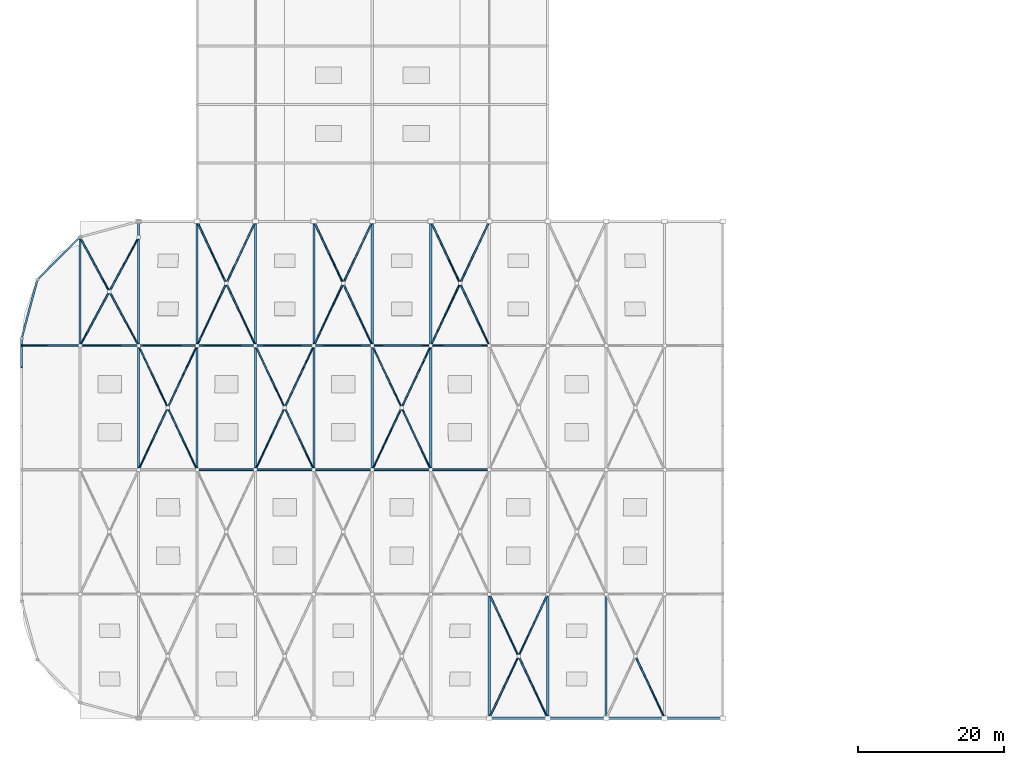
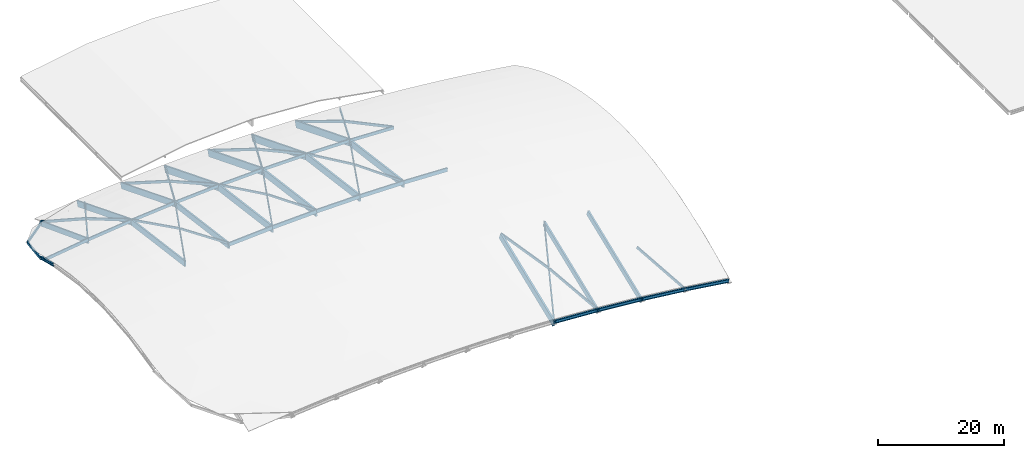
# One storey, part 2 of 11: 38 members, 23 beams.
"""IFC4 building model written with IfcOpenShell, lengths in metres."""

from ifc_helpers import new_model, si_unit, direction, frame, origin, origin_2d, place, context, subcontext, project, spatial, rectangle, hollow_rectangle, i_section, extrude, material, material_profile, profile_set, type_object, element, save


model = new_model("IFC4")

# Units and contexts
model_context = context("Model", 3, precision=1e-05, world=origin(), true_north=direction((0.0, 1.0)))
body_context = subcontext(model_context, "Body", "Model", "MODEL_VIEW")
ifc_project = project(units=[si_unit("LENGTHUNIT", "METRE"), si_unit("AREAUNIT", "SQUARE_METRE"), si_unit("VOLUMEUNIT", "CUBIC_METRE"), si_unit("PLANEANGLEUNIT", "RADIAN"), si_unit("MASSUNIT", "GRAM", prefix="KILO")], contexts=[model_context])

# Site, building, storey
site_placement = place(None, origin())
site = spatial("IfcSite", under=ifc_project, at=site_placement, CompositionType="ELEMENT")
building_placement = place(site_placement, origin())
building = spatial("IfcBuilding", under=site, at=building_placement, Name="Drelvana Railside Aquatics Centre", CompositionType="ELEMENT")
storey_placement = place(building_placement, frame((0.0, 0.0, 22.800048828125)))
storey = spatial("IfcBuildingStorey", under=building, at=storey_placement, Name="Roof", CompositionType="ELEMENT", Elevation=22.800048828125)

# Beams
ifc_material_1 = material(Name="Glulam timber GL28h", Category="wood")
ifc_material_profile_1 = material_profile(ifc_material_1, rectangle(XDim=0.280029296875, YDim=0.9599609375, at=origin_2d()), Name="GL28h 280x960")
ifc_profile_set_1 = profile_set([ifc_material_profile_1], Name="Glulam timber GL28h")
beam_type_1 = type_object("IfcBeamType", Name="STR-GLB-GA-03", PredefinedType="BEAM", material=ifc_profile_set_1)
beam_1_placement = place(storey_placement, frame((8.0, 66.955078125, -0.633056640625), z_axis=(0.0, 0.934910647171, -0.354883194595), x_axis=(-1.0, 0.0, 0.0)))
element("IfcBeam", 1, at=beam_1_placement, inside=storey, type_object=beam_type_1, Name="Glulam gridshell primary arch rib X01.4", PredefinedType="BEAM", context=body_context, shape_type="SweptSolid", body=[
    extrude(rectangle(XDim=0.280029296875, YDim=0.9599609375, at=origin_2d()), origin(), (0.0, 0.0, 1.0), 15.87841796875),
])
ifc_material_profile_2 = material_profile(ifc_material_1, rectangle(XDim=0.280029296875, YDim=1.1201171875, at=origin_2d()), Name="GL28h 280x1120")
ifc_profile_set_2 = profile_set([ifc_material_profile_2], Name="Glulam timber GL28h")
beam_type_2 = type_object("IfcBeamType", Name="STR-GLB-GA-04", PredefinedType="BEAM", material=ifc_profile_set_2)
beam_2_placement = place(storey_placement, frame((16.0, 49.955078125, 2.425048828125), z_axis=(0.0, 0.991354224176, -0.131212812671), x_axis=(-1.0, 0.0, 0.0)))
element("IfcBeam", 2, at=beam_2_placement, inside=storey, type_object=beam_type_2, Name="Glulam gridshell primary arch rib X02.3", PredefinedType="BEAM", context=body_context, shape_type="SweptSolid", body=[
    extrude(rectangle(XDim=0.280029296875, YDim=1.1201171875, at=origin_2d()), origin(), (0.0, 0.0, 1.0), 17.23876953125),
])
beam_3_placement = place(storey_placement, frame((16.0, 66.955078125, 0.186767578125), z_axis=(0.0, 0.929530699892, -0.368744732786), x_axis=(-1.0, 0.0, 0.0)))
element("IfcBeam", 3, at=beam_3_placement, inside=storey, type_object=beam_type_2, Name="Glulam gridshell primary arch rib X02.4", PredefinedType="BEAM", context=body_context, shape_type="SweptSolid", body=[
    extrude(rectangle(XDim=0.280029296875, YDim=1.1201171875, at=origin_2d()), origin(), (0.0, 0.0, 1.0), 18.337158203125),
])
beam_4_placement = place(storey_placement, frame((24.0, 49.955078125, 3.125), z_axis=(0.0, 0.991354224176, -0.131212812671), x_axis=(-1.0, 0.0, 0.0)))
element("IfcBeam", 4, at=beam_4_placement, inside=storey, type_object=beam_type_2, Name="Glulam gridshell primary arch rib X03.3", PredefinedType="BEAM", context=body_context, shape_type="SweptSolid", body=[
    extrude(rectangle(XDim=0.280029296875, YDim=1.1201171875, at=origin_2d()), origin(), (0.0, 0.0, 1.0), 17.23876953125),
])
for number, where, z_axis, x_axis, name in (
    (5, (24.0, 66.955078125, 0.886962890625), (0.0, 0.929526136341, -0.368756236367), (-1.0, 0.0, 0.0), "Glulam gridshell primary arch rib X03.4"),
    (6, (72.0, 16.0, -5.875), (0.0, 0.929526136341, 0.368756236367), (-1.0, 0.0, 0.0), "Glulam gridshell primary arch rib X09.1"),
    (7, (80.0, 16.0, -6.574951171875), (0.0, 0.929530699892, 0.368744732786), (-1.0, 0.0, 0.0), "Glulam gridshell primary arch rib X10.1"),
):
    element("IfcBeam", number, at=place(storey_placement, frame(where, z_axis=z_axis, x_axis=x_axis)), inside=storey, type_object=beam_type_2, Name=name, PredefinedType="BEAM", context=body_context, shape_type="SweptSolid", body=[
        extrude(rectangle(XDim=0.280029296875, YDim=1.1201171875, at=origin_2d()), origin(), (0.0, 0.0, 1.0), 18.337158203125),
    ])
ifc_material_profile_3 = material_profile(ifc_material_1, rectangle(XDim=0.320068359375, YDim=1.280029296875, at=origin_2d()), Name="GL28h 320x1280")
ifc_profile_set_3 = profile_set([ifc_material_profile_3], Name="Glulam timber GL28h")
beam_type_3 = type_object("IfcBeamType", Name="STR-GLB-GA-05", PredefinedType="BEAM", material=ifc_profile_set_3)
beam_5_placement = place(storey_placement, frame((32.0, 49.955078125, 3.544921875), z_axis=(0.0, 0.991354224176, -0.131212812671), x_axis=(-1.0, 0.0, 0.0)))
element("IfcBeam", 8, at=beam_5_placement, inside=storey, type_object=beam_type_3, Name="Glulam gridshell primary arch rib X04.3", PredefinedType="BEAM", context=body_context, shape_type="SweptSolid", body=[
    extrude(rectangle(XDim=0.320068359375, YDim=1.280029296875, at=origin_2d()), origin(), (0.0, 0.0, 1.0), 17.23876953125),
])
beam_6_placement = place(storey_placement, frame((32.0, 66.955078125, 1.306884765625), z_axis=(0.0, 0.929526136341, -0.368756236367), x_axis=(-1.0, 0.0, 0.0)))
element("IfcBeam", 9, at=beam_6_placement, inside=storey, type_object=beam_type_3, Name="Glulam gridshell primary arch rib X04.4", PredefinedType="BEAM", context=body_context, shape_type="SweptSolid", body=[
    extrude(rectangle(XDim=0.320068359375, YDim=1.280029296875, at=origin_2d()), origin(), (0.0, 0.0, 1.0), 18.337158203125),
])
beam_7_placement = place(storey_placement, frame((40.0, 49.955078125, 3.844970703125), z_axis=(0.0, 0.991354224176, -0.131212812671), x_axis=(-1.0, 0.0, 0.0)))
element("IfcBeam", 10, at=beam_7_placement, inside=storey, type_object=beam_type_3, Name="Glulam gridshell primary arch rib X05.3", PredefinedType="BEAM", context=body_context, shape_type="SweptSolid", body=[
    extrude(rectangle(XDim=0.320068359375, YDim=1.280029296875, at=origin_2d()), origin(), (0.0, 0.0, 1.0), 17.23876953125),
])
beam_8_placement = place(storey_placement, frame((40.0, 66.955078125, 1.60693359375), z_axis=(0.0, 0.929526136341, -0.368756236367), x_axis=(-1.0, 0.0, 0.0)))
element("IfcBeam", 11, at=beam_8_placement, inside=storey, type_object=beam_type_3, Name="Glulam gridshell primary arch rib X05.4", PredefinedType="BEAM", context=body_context, shape_type="SweptSolid", body=[
    extrude(rectangle(XDim=0.320068359375, YDim=1.280029296875, at=origin_2d()), origin(), (0.0, 0.0, 1.0), 18.337158203125),
])
beam_9_placement = place(storey_placement, frame((48.0, 49.955078125, 3.94482421875), z_axis=(0.0, 0.991356066278, -0.131198894257), x_axis=(-1.0, 0.0, 0.0)))
element("IfcBeam", 12, at=beam_9_placement, inside=storey, type_object=beam_type_3, Name="Glulam gridshell primary arch rib X06.3", PredefinedType="BEAM", context=body_context, shape_type="SweptSolid", body=[
    extrude(rectangle(XDim=0.320068359375, YDim=1.280029296875, at=origin_2d()), origin(), (0.0, 0.0, 1.0), 17.23876953125),
])
beam_10_placement = place(storey_placement, frame((48.0, 66.955078125, 1.706787109375), z_axis=(0.0, 0.929530699892, -0.368744732786), x_axis=(-1.0, 0.0, 0.0)))
element("IfcBeam", 13, at=beam_10_placement, inside=storey, type_object=beam_type_3, Name="Glulam gridshell primary arch rib X06.4", PredefinedType="BEAM", context=body_context, shape_type="SweptSolid", body=[
    extrude(rectangle(XDim=0.320068359375, YDim=1.280029296875, at=origin_2d()), origin(), (0.0, 0.0, 1.0), 18.337158203125),
])
beam_11_placement = place(storey_placement, frame((56.0, 49.955078125, 3.844970703125), z_axis=(0.0, 0.991354224176, -0.131212812671), x_axis=(-1.0, 0.0, 0.0)))
element("IfcBeam", 14, at=beam_11_placement, inside=storey, type_object=beam_type_3, Name="Glulam gridshell primary arch rib X07.3", PredefinedType="BEAM", context=body_context, shape_type="SweptSolid", body=[
    extrude(rectangle(XDim=0.320068359375, YDim=1.280029296875, at=origin_2d()), origin(), (0.0, 0.0, 1.0), 17.23876953125),
])
for number, where, z_axis, x_axis, name in (
    (15, (56.0, 66.955078125, 1.60693359375), (0.0, 0.929526136341, -0.368756236367), (-1.0, 0.0, 0.0), "Glulam gridshell primary arch rib X07.4"),
    (16, (64.0, 16.0, -5.455078125), (0.0, 0.929526136341, 0.368756236367), (-1.0, 0.0, 0.0), "Glulam gridshell primary arch rib X08.1"),
):
    element("IfcBeam", number, at=place(storey_placement, frame(where, z_axis=z_axis, x_axis=x_axis)), inside=storey, type_object=beam_type_3, Name=name, PredefinedType="BEAM", context=body_context, shape_type="SweptSolid", body=[
        extrude(rectangle(XDim=0.320068359375, YDim=1.280029296875, at=origin_2d()), origin(), (0.0, 0.0, 1.0), 18.337158203125),
    ])

# Members
ifc_material_profile_4 = material_profile(ifc_material_1, rectangle(XDim=0.179931640625, YDim=0.39990234375, at=origin_2d()), Name="GL28h 180x400")
ifc_profile_set_4 = profile_set([ifc_material_profile_4], Name="Glulam timber GL28h")
member_type_1 = type_object("IfcMemberType", Name="STR-GLM-GD-01", PredefinedType="BRACE", material=ifc_profile_set_4)
member_1_placement = place(storey_placement, frame((16.00634765625, 50.013671875, 2.821533203125), z_axis=(0.424363187881, 0.901752317567, -0.082210963589), x_axis=(-0.904815162631, 0.425804557834, 0.0)))
element("IfcMember", 17, at=member_1_placement, inside=storey, type_object=member_type_1, Name="Glulam gridshell continuous diagonal brace GD-010", PredefinedType="BRACE", context=body_context, shape_type="SweptSolid", body=[
    extrude(rectangle(XDim=0.179931640625, YDim=0.39990234375, at=origin_2d()), origin(), (0.0, 0.0, 1.0), 18.82177734375),
])
member_2_placement = place(storey_placement, frame((16.00634765625, 66.986328125, 0.5751953125), z_axis=(0.415880783586, -0.883724300441, 0.214649795375), x_axis=(0.904814550604, 0.425805858362, 0.0)))
element("IfcMember", 18, at=member_2_placement, inside=storey, type_object=member_type_1, Name="Glulam gridshell split diagonal brace GD-011A", PredefinedType="BRACE", context=body_context, shape_type="SweptSolid", body=[
    extrude(rectangle(XDim=0.179931640625, YDim=0.39990234375, at=origin_2d()), origin(), (0.0, 0.0, 1.0), 9.5517578125),
])
member_3_placement = place(storey_placement, frame((20.021240234375, 58.454833984375, 2.641357421875), z_axis=(0.423927658635, -0.900823477186, 0.093821123394), x_axis=(0.904814550604, 0.425805858362, 0.0)))
element("IfcMember", 19, at=member_3_placement, inside=storey, type_object=member_type_1, Name="Glulam gridshell split diagonal brace GD-012B", PredefinedType="BRACE", context=body_context, shape_type="SweptSolid", body=[
    extrude(rectangle(XDim=0.179931640625, YDim=0.39990234375, at=origin_2d()), origin(), (0.0, 0.0, 1.0), 9.37060546875),
])
member_4_placement = place(storey_placement, frame((32.00634765625, 50.013671875, 4.021240234375), z_axis=(0.423529764879, 0.899981331898, -0.103228583725), x_axis=(-0.904815162631, 0.425804557834, 0.0)))
element("IfcMember", 20, at=member_4_placement, inside=storey, type_object=member_type_1, Name="Glulam gridshell continuous diagonal brace GD-022", PredefinedType="BRACE", context=body_context, shape_type="SweptSolid", body=[
    extrude(rectangle(XDim=0.179931640625, YDim=0.39990234375, at=origin_2d()), origin(), (0.0, 0.0, 1.0), 18.85888671875),
])
member_5_placement = place(storey_placement, frame((32.00634765625, 66.986328125, 1.77490234375), z_axis=(0.417657314588, -0.887499333286, 0.194697973766), x_axis=(0.904814550604, 0.425805858362, 0.0)))
element("IfcMember", 21, at=member_5_placement, inside=storey, type_object=member_type_1, Name="Glulam gridshell split diagonal brace GD-023A", PredefinedType="BRACE", context=body_context, shape_type="SweptSolid", body=[
    extrude(rectangle(XDim=0.179931640625, YDim=0.39990234375, at=origin_2d()), origin(), (0.0, 0.0, 1.0), 9.51123046875),
])
member_6_placement = place(storey_placement, frame((36.021240234375, 58.454833984375, 3.64013671875), z_axis=(0.424677018704, -0.902415827034, 0.072767471461), x_axis=(0.904814550604, 0.425805858362, 0.0)))
element("IfcMember", 22, at=member_6_placement, inside=storey, type_object=member_type_1, Name="Glulam gridshell split diagonal brace GD-024B", PredefinedType="BRACE", context=body_context, shape_type="SweptSolid", body=[
    extrude(rectangle(XDim=0.179931640625, YDim=0.39990234375, at=origin_2d()), origin(), (0.0, 0.0, 1.0), 9.35400390625),
])
member_7_placement = place(storey_placement, frame((48.00634765625, 50.013671875, 4.4208984375), z_axis=(0.422512496583, 0.897819683411, -0.124108848642), x_axis=(-0.904815162631, 0.425804557834, 0.0)))
element("IfcMember", 23, at=member_7_placement, inside=storey, type_object=member_type_1, Name="Glulam gridshell continuous diagonal brace GD-034", PredefinedType="BRACE", context=body_context, shape_type="SweptSolid", body=[
    extrude(rectangle(XDim=0.179931640625, YDim=0.39990234375, at=origin_2d()), origin(), (0.0, 0.0, 1.0), 18.904296875),
])
member_8_placement = place(storey_placement, frame((48.00634765625, 66.986328125, 2.174560546875), z_axis=(0.419274562006, -0.890935897079, 0.174476557024), x_axis=(0.904814550604, 0.425805858362, 0.0)))
element("IfcMember", 24, at=member_8_placement, inside=storey, type_object=member_type_1, Name="Glulam gridshell split diagonal brace GD-035A", PredefinedType="BRACE", context=body_context, shape_type="SweptSolid", body=[
    extrude(rectangle(XDim=0.179931640625, YDim=0.39990234375, at=origin_2d()), origin(), (0.0, 0.0, 1.0), 9.474609375),
])
member_9_placement = place(storey_placement, frame((52.021240234375, 58.454833984375, 3.839111328125), z_axis=(0.425238832929, -0.903609652051, 0.051590034798), x_axis=(0.904814550604, 0.425805858362, 0.0)))
element("IfcMember", 25, at=member_9_placement, inside=storey, type_object=member_type_1, Name="Glulam gridshell split diagonal brace GD-036B", PredefinedType="BRACE", context=body_context, shape_type="SweptSolid", body=[
    extrude(rectangle(XDim=0.179931640625, YDim=0.39990234375, at=origin_2d()), origin(), (0.0, 0.0, 1.0), 9.341552734375),
])
ifc_material_profile_5 = material_profile(ifc_material_1, rectangle(XDim=0.199951171875, YDim=0.47998046875, at=origin_2d()), Name="GL28h 200x480")
ifc_profile_set_5 = profile_set([ifc_material_profile_5], Name="Glulam timber GL28h")
member_type_2 = type_object("IfcMemberType", Name="STR-GLM-GD-02", PredefinedType="BRACE", material=ifc_profile_set_5)
member_10_placement = place(storey_placement, frame((8.007080078125, 67.01318359375, -0.37158203125), z_axis=(0.457821515091, 0.84696280473, -0.270284050074), x_axis=(-0.879704869992, 0.475520074983, 0.0)))
element("IfcMember", 26, at=member_10_placement, inside=storey, type_object=member_type_2, Name="Glulam gridshell continuous diagonal brace GD-004", PredefinedType="BRACE", context=body_context, shape_type="SweptSolid", body=[
    extrude(rectangle(XDim=0.199951171875, YDim=0.47998046875, at=origin_2d()), origin(), (0.0, 0.0, 1.0), 17.443115234375),
])
member_11_placement = place(storey_placement, frame((8.007080078125, 81.786865234375, -5.984619140625), z_axis=(0.435004858275, -0.804724204544, 0.403967483715), x_axis=(0.879697915599, 0.475532940279, 0.0)))
element("IfcMember", 27, at=member_11_placement, inside=storey, type_object=member_type_2, Name="Glulam gridshell split diagonal brace GD-005A", PredefinedType="BRACE", context=body_context, shape_type="SweptSolid", body=[
    extrude(rectangle(XDim=0.199951171875, YDim=0.47998046875, at=origin_2d()), origin(), (0.0, 0.0, 1.0), 9.12451171875),
])
member_12_placement = place(storey_placement, frame((12.023681640625, 74.35595703125, -2.259765625), z_axis=(0.451060197691, -0.834425298669, 0.31666878438), x_axis=(0.879697915599, 0.475532940279, 0.0)))
element("IfcMember", 28, at=member_12_placement, inside=storey, type_object=member_type_2, Name="Glulam gridshell split diagonal brace GD-006B", PredefinedType="BRACE", context=body_context, shape_type="SweptSolid", body=[
    extrude(rectangle(XDim=0.199951171875, YDim=0.47998046875, at=origin_2d()), origin(), (0.0, 0.0, 1.0), 8.7998046875),
])
member_13_placement = place(storey_placement, frame((24.00634765625, 67.013671875, 1.227783203125), z_axis=(0.404035826688, 0.858557607022, -0.315648358427), x_axis=(-0.904815162631, 0.425804557834, 0.0)))
element("IfcMember", 29, at=member_13_placement, inside=storey, type_object=member_type_2, Name="Glulam gridshell continuous diagonal brace GD-016", PredefinedType="BRACE", context=body_context, shape_type="SweptSolid", body=[
    extrude(rectangle(XDim=0.199951171875, YDim=0.47998046875, at=origin_2d()), origin(), (0.0, 0.0, 1.0), 19.768798828125),
])
member_14_placement = place(storey_placement, frame((24.00634765625, 83.986328125, -5.511474609375), z_axis=(0.388497261541, -0.825535788691, 0.409341592518), x_axis=(0.904814550604, 0.425805858362, 0.0)))
element("IfcMember", 30, at=member_14_placement, inside=storey, type_object=member_type_2, Name="Glulam gridshell split diagonal brace GD-017A", PredefinedType="BRACE", context=body_context, shape_type="SweptSolid", body=[
    extrude(rectangle(XDim=0.199951171875, YDim=0.47998046875, at=origin_2d()), origin(), (0.0, 0.0, 1.0), 10.22509765625),
])
member_15_placement = place(storey_placement, frame((28.021240234375, 75.454833984375, -1.287353515625), z_axis=(0.405179646918, -0.860984960494, 0.307464390664), x_axis=(0.904814550604, 0.425805858362, 0.0)))
element("IfcMember", 31, at=member_15_placement, inside=storey, type_object=member_type_2, Name="Glulam gridshell split diagonal brace GD-018B", PredefinedType="BRACE", context=body_context, shape_type="SweptSolid", body=[
    extrude(rectangle(XDim=0.199951171875, YDim=0.47998046875, at=origin_2d()), origin(), (0.0, 0.0, 1.0), 9.803955078125),
])
member_16_placement = place(storey_placement, frame((40.00634765625, 67.013671875, 2.027587890625), z_axis=(0.401402613105, 0.852962148888, -0.333663775015), x_axis=(-0.904815162631, 0.425804557834, 0.0)))
element("IfcMember", 32, at=member_16_placement, inside=storey, type_object=member_type_2, Name="Glulam gridshell continuous diagonal brace GD-028", PredefinedType="BRACE", context=body_context, shape_type="SweptSolid", body=[
    extrude(rectangle(XDim=0.199951171875, YDim=0.47998046875, at=origin_2d()), origin(), (0.0, 0.0, 1.0), 19.8984375),
])
member_17_placement = place(storey_placement, frame((40.00634765625, 83.986328125, -4.711669921875), z_axis=(0.391550308633, -0.832023349579, 0.392970102635), x_axis=(0.904814550604, 0.425805858362, 0.0)))
element("IfcMember", 33, at=member_17_placement, inside=storey, type_object=member_type_2, Name="Glulam gridshell split diagonal brace GD-029A", PredefinedType="BRACE", context=body_context, shape_type="SweptSolid", body=[
    extrude(rectangle(XDim=0.199951171875, YDim=0.47998046875, at=origin_2d()), origin(), (0.0, 0.0, 1.0), 10.145263671875),
])
member_18_placement = place(storey_placement, frame((44.021240234375, 75.454833984375, -0.688232421875), z_axis=(0.407643933163, -0.866221436243, 0.288940905978), x_axis=(0.904814550604, 0.425805858362, 0.0)))
element("IfcMember", 34, at=member_18_placement, inside=storey, type_object=member_type_2, Name="Glulam gridshell split diagonal brace GD-030B", PredefinedType="BRACE", context=body_context, shape_type="SweptSolid", body=[
    extrude(rectangle(XDim=0.199951171875, YDim=0.47998046875, at=origin_2d()), origin(), (0.0, 0.0, 1.0), 9.744873046875),
])
member_19_placement = place(storey_placement, frame((56.00634765625, 67.013671875, 2.027099609375), z_axis=(0.398663395605, 0.847141437293, -0.351310236438), x_axis=(-0.904815162631, 0.425804557834, 0.0)))
element("IfcMember", 35, at=member_19_placement, inside=storey, type_object=member_type_2, Name="Glulam gridshell continuous diagonal brace GD-040", PredefinedType="BRACE", context=body_context, shape_type="SweptSolid", body=[
    extrude(rectangle(XDim=0.199951171875, YDim=0.47998046875, at=origin_2d()), origin(), (0.0, 0.0, 1.0), 20.03515625),
])
member_20_placement = place(storey_placement, frame((56.00634765625, 83.986328125, -4.7119140625), z_axis=(0.39452270737, -0.838339537048, 0.376216233025), x_axis=(0.904814550604, 0.425805858362, 0.0)))
element("IfcMember", 36, at=member_20_placement, inside=storey, type_object=member_type_2, Name="Glulam gridshell split diagonal brace GD-041A", PredefinedType="BRACE", context=body_context, shape_type="SweptSolid", body=[
    extrude(rectangle(XDim=0.199951171875, YDim=0.47998046875, at=origin_2d()), origin(), (0.0, 0.0, 1.0), 10.06884765625),
])
member_21_placement = place(storey_placement, frame((60.021240234375, 75.454833984375, -0.889404296875), z_axis=(0.409978367947, -0.871181984622, 0.270110509766), x_axis=(0.904814550604, 0.425805858362, 0.0)))
element("IfcMember", 37, at=member_21_placement, inside=storey, type_object=member_type_2, Name="Glulam gridshell split diagonal brace GD-042B", PredefinedType="BRACE", context=body_context, shape_type="SweptSolid", body=[
    extrude(rectangle(XDim=0.199951171875, YDim=0.47998046875, at=origin_2d()), origin(), (0.0, 0.0, 1.0), 9.689208984375),
])
member_22_placement = place(storey_placement, frame((64.00634765625, 16.013671875, -5.01220703125), z_axis=(0.404035826688, 0.858557607022, 0.315648358427), x_axis=(-0.904815162631, 0.425804557834, 0.0)))
element("IfcMember", 38, at=member_22_placement, inside=storey, type_object=member_type_2, Name="Glulam gridshell continuous diagonal brace GD-043", PredefinedType="BRACE", context=body_context, shape_type="SweptSolid", body=[
    extrude(rectangle(XDim=0.199951171875, YDim=0.47998046875, at=origin_2d()), origin(), (0.0, 0.0, 1.0), 19.768798828125),
])
member_23_placement = place(storey_placement, frame((64.00634765625, 32.986328125, 1.72705078125), z_axis=(0.405179646918, -0.860984960494, -0.307464390664), x_axis=(0.904814550604, 0.425805858362, 0.0)))
element("IfcMember", 39, at=member_23_placement, inside=storey, type_object=member_type_2, Name="Glulam gridshell split diagonal brace GD-044A", PredefinedType="BRACE", context=body_context, shape_type="SweptSolid", body=[
    extrude(rectangle(XDim=0.199951171875, YDim=0.47998046875, at=origin_2d()), origin(), (0.0, 0.0, 1.0), 9.803955078125),
])
member_24_placement = place(storey_placement, frame((68.021240234375, 24.454833984375, -1.325927734375), z_axis=(0.388497261541, -0.825535788691, -0.409341592518), x_axis=(0.904814550604, 0.425805858362, 0.0)))
element("IfcMember", 40, at=member_24_placement, inside=storey, type_object=member_type_2, Name="Glulam gridshell split diagonal brace GD-045B", PredefinedType="BRACE", context=body_context, shape_type="SweptSolid", body=[
    extrude(rectangle(XDim=0.199951171875, YDim=0.47998046875, at=origin_2d()), origin(), (0.0, 0.0, 1.0), 10.22509765625),
])
member_25_placement = place(storey_placement, frame((84.021240234375, 24.454833984375, -2.726806640625), z_axis=(0.385371217495, -0.8188931132, -0.425327043438), x_axis=(0.904814550604, 0.425805858362, 0.0)))
element("IfcMember", 41, at=member_25_placement, inside=storey, type_object=member_type_2, Name="Glulam gridshell split diagonal brace GD-057B", PredefinedType="BRACE", context=body_context, shape_type="SweptSolid", body=[
    extrude(rectangle(XDim=0.199951171875, YDim=0.47998046875, at=origin_2d()), origin(), (0.0, 0.0, 1.0), 10.30810546875),
])
ifc_material_profile_6 = material_profile(ifc_material_1, rectangle(XDim=0.199951171875, YDim=0.60009765625, at=origin_2d()), Name="GL28h 200x600")
ifc_profile_set_6 = profile_set([ifc_material_profile_6], Name="Glulam timber GL28h")
member_type_3 = type_object("IfcMemberType", Name="STR-GLM-GR-04", PredefinedType="RAFTER", material=ifc_profile_set_6)
member_26_placement = place(storey_placement, frame((0.0, 67.0, -1.56494140625), z_axis=(0.990690601984, 0.0, 0.136132770265), x_axis=(0.0, 1.0, 0.0)))
element("IfcMember", 42, at=member_26_placement, inside=storey, type_object=member_type_3, Name="Glulam gridshell longitudinal rib Y03.1", PredefinedType="RAFTER", context=body_context, shape_type="SweptSolid", body=[
    extrude(rectangle(XDim=0.199951171875, YDim=0.60009765625, at=origin_2d()), origin(), (0.0, 0.0, 1.0), 8.12060546875),
])
member_27_placement = place(storey_placement, frame((7.955078125, 67.0, -0.470703125), z_axis=(0.993730649812, 0.0, 0.111800695995), x_axis=(0.0, 1.0, 0.0)))
element("IfcMember", 43, at=member_27_placement, inside=storey, type_object=member_type_3, Name="Glulam gridshell longitudinal rib Y03.2", PredefinedType="RAFTER", context=body_context, shape_type="SweptSolid", body=[
    extrude(rectangle(XDim=0.199951171875, YDim=0.60009765625, at=origin_2d()), origin(), (0.0, 0.0, 1.0), 8.140869140625),
])
member_28_placement = place(storey_placement, frame((15.955078125, 67.0, 0.430419921875), z_axis=(0.996192150981, 0.0, 0.087184851456), x_axis=(0.0, 1.0, 0.0)))
element("IfcMember", 44, at=member_28_placement, inside=storey, type_object=member_type_3, Name="Glulam gridshell longitudinal rib Y03.3", PredefinedType="RAFTER", context=body_context, shape_type="SweptSolid", body=[
    extrude(rectangle(XDim=0.199951171875, YDim=0.60009765625, at=origin_2d()), origin(), (0.0, 0.0, 1.0), 8.120849609375),
])
member_29_placement = place(storey_placement, frame((23.955078125, 67.0, 1.131591796875), z_axis=(0.998052578483, 0.0, 0.062378286155), x_axis=(0.0, 1.0, 0.0)))
element("IfcMember", 45, at=member_29_placement, inside=storey, type_object=member_type_3, Name="Glulam gridshell longitudinal rib Y03.4", PredefinedType="RAFTER", context=body_context, shape_type="SweptSolid", body=[
    extrude(rectangle(XDim=0.199951171875, YDim=0.60009765625, at=origin_2d()), origin(), (0.0, 0.0, 1.0), 8.105712890625),
])
member_30_placement = place(storey_placement, frame((31.955078125, 67.0, 1.6328125), z_axis=(0.999298293136, 0.0, 0.037455591504), x_axis=(0.0, 1.0, 0.0)))
element("IfcMember", 46, at=member_30_placement, inside=storey, type_object=member_type_3, Name="Glulam gridshell longitudinal rib Y03.5", PredefinedType="RAFTER", context=body_context, shape_type="SweptSolid", body=[
    extrude(rectangle(XDim=0.199951171875, YDim=0.60009765625, at=origin_2d()), origin(), (0.0, 0.0, 1.0), 8.095458984375),
])
for number, where, z_axis, x_axis, name in (
    (47, (39.955078125, 67.0, 1.933837890625), (0.999921959565, 0.0, 0.012492989234), (0.0, 1.0, 0.0), "Glulam gridshell longitudinal rib Y03.6"),
    (48, (47.955078125, 67.0, 2.034912109375), (0.999921959565, 0.0, -0.012492989234), (0.0, 1.0, 0.0), "Glulam gridshell longitudinal rib Y03.7"),
):
    element("IfcMember", number, at=place(storey_placement, frame(where, z_axis=z_axis, x_axis=x_axis)), inside=storey, type_object=member_type_3, Name=name, PredefinedType="RAFTER", context=body_context, shape_type="SweptSolid", body=[
        extrude(rectangle(XDim=0.199951171875, YDim=0.60009765625, at=origin_2d()), origin(), (0.0, 0.0, 1.0), 8.090576171875),
    ])
member_31_placement = place(storey_placement, frame((55.955078125, 67.0, 1.93603515625), z_axis=(0.999298293136, 0.0, -0.037455591504), x_axis=(0.0, 1.0, 0.0)))
element("IfcMember", 49, at=member_31_placement, inside=storey, type_object=member_type_3, Name="Glulam gridshell longitudinal rib Y03.8", PredefinedType="RAFTER", context=body_context, shape_type="SweptSolid", body=[
    extrude(rectangle(XDim=0.199951171875, YDim=0.60009765625, at=origin_2d()), origin(), (0.0, 0.0, 1.0), 8.095458984375),
])
ifc_material_profile_7 = material_profile(ifc_material_1, rectangle(XDim=0.239990234375, YDim=0.719970703125, at=origin_2d()), Name="GL28h 240x720")
ifc_profile_set_7 = profile_set([ifc_material_profile_7], Name="Glulam timber GL28h")
member_type_4 = type_object("IfcMemberType", Name="STR-GLM-GR-05", PredefinedType="RAFTER", material=ifc_profile_set_7)
member_32_placement = place(storey_placement, frame((23.955078125, 50.0, 3.321533203125), z_axis=(0.998052578483, 0.0, 0.062378286155), x_axis=(0.0, 1.0, 0.0)))
element("IfcMember", 50, at=member_32_placement, inside=storey, type_object=member_type_4, Name="Glulam gridshell longitudinal rib Y02.4", PredefinedType="RAFTER", context=body_context, shape_type="SweptSolid", body=[
    extrude(rectangle(XDim=0.239990234375, YDim=0.719970703125, at=origin_2d()), origin(), (0.0, 0.0, 1.0), 8.105712890625),
])
member_33_placement = place(storey_placement, frame((31.955078125, 50.0, 3.82275390625), z_axis=(0.999298293136, 0.0, 0.037455591504), x_axis=(0.0, 1.0, 0.0)))
element("IfcMember", 51, at=member_33_placement, inside=storey, type_object=member_type_4, Name="Glulam gridshell longitudinal rib Y02.5", PredefinedType="RAFTER", context=body_context, shape_type="SweptSolid", body=[
    extrude(rectangle(XDim=0.239990234375, YDim=0.719970703125, at=origin_2d()), origin(), (0.0, 0.0, 1.0), 8.095458984375),
])
for number, where, z_axis, x_axis, name in (
    (52, (39.955078125, 50.0, 4.123779296875), (0.999921959565, 0.0, 0.012492989234), (0.0, 1.0, 0.0), "Glulam gridshell longitudinal rib Y02.6"),
    (53, (47.955078125, 50.0, 4.224853515625), (0.999921959565, 0.0, -0.012492989234), (0.0, 1.0, 0.0), "Glulam gridshell longitudinal rib Y02.7"),
):
    element("IfcMember", number, at=place(storey_placement, frame(where, z_axis=z_axis, x_axis=x_axis)), inside=storey, type_object=member_type_4, Name=name, PredefinedType="RAFTER", context=body_context, shape_type="SweptSolid", body=[
        extrude(rectangle(XDim=0.239990234375, YDim=0.719970703125, at=origin_2d()), origin(), (0.0, 0.0, 1.0), 8.090576171875),
    ])
member_34_placement = place(storey_placement, frame((55.955078125, 50.0, 4.1259765625), z_axis=(0.999298293136, 0.0, -0.037455591504), x_axis=(0.0, 1.0, 0.0)))
element("IfcMember", 54, at=member_34_placement, inside=storey, type_object=member_type_4, Name="Glulam gridshell longitudinal rib Y02.8", PredefinedType="RAFTER", context=body_context, shape_type="SweptSolid", body=[
    extrude(rectangle(XDim=0.239990234375, YDim=0.719970703125, at=origin_2d()), origin(), (0.0, 0.0, 1.0), 8.095458984375),
])

# Beams
ifc_material_2 = material(Name="Structural steel S355", Category="steel")
ifc_material_profile_8 = material_profile(ifc_material_2, i_section(OverallWidth=0.300048828125, OverallDepth=0.5, WebThickness=0.014404296875, FlangeThickness=0.028076171875, at=origin_2d()), Name="HEB 500")
ifc_profile_set_8 = profile_set([ifc_material_profile_8], Name="Structural steel S355")
beam_type_4 = type_object("IfcBeamType", Name="STR-SBM-RB-01-HEB-500", PredefinedType="USERDEFINED", material=ifc_profile_set_8)
beam_12_placement = place(storey_placement, frame((0.0, 64.0, -0.7548828125), z_axis=(0.0, 0.970337279372, -0.241755174218), x_axis=(-1.0, 0.0, 0.0)))
element("IfcBeam", 55, at=beam_12_placement, inside=storey, type_object=beam_type_4, Name="Gridshell West Ring Beam RB-01 W-05", ObjectType="RING BEAM", PredefinedType="USERDEFINED", context=body_context, shape_type="SweptSolid", body=[
    extrude(i_section(OverallWidth=0.300048828125, OverallDepth=0.5, WebThickness=0.014404296875, FlangeThickness=0.028076171875, at=origin_2d()), origin(), (0.0, 0.0, 1.0), 4.122314453125),
])
ifc_material_profile_9 = material_profile(ifc_material_2, i_section(OverallWidth=0.300048828125, OverallDepth=0.60009765625, WebThickness=0.015380859375, FlangeThickness=0.030029296875, at=origin_2d()), Name="HEB 600")
ifc_profile_set_9 = profile_set([ifc_material_profile_9], Name="Structural steel S355")
beam_type_5 = type_object("IfcBeamType", Name="STR-SBM-RB-02-HEB-600", PredefinedType="USERDEFINED", material=ifc_profile_set_9)
beam_13_placement = place(storey_placement, frame((64.0, 16.0, -5.0791015625), z_axis=(0.998052578483, 0.0, -0.062378286155), x_axis=(0.0, 1.0, 0.0)))
element("IfcBeam", 56, at=beam_13_placement, inside=storey, type_object=beam_type_5, Name="Gridshell Ring Beam RB-02 S-08", ObjectType="RING BEAM", PredefinedType="USERDEFINED", context=body_context, shape_type="SweptSolid", body=[
    extrude(i_section(OverallWidth=0.300048828125, OverallDepth=0.60009765625, WebThickness=0.015380859375, FlangeThickness=0.030029296875, at=origin_2d()), origin(), (0.0, 0.0, 1.0), 8.015625),
])
beam_14_placement = place(storey_placement, frame((72.0, 16.0, -5.5791015625), z_axis=(0.996194245461, 0.0, -0.087160916191), x_axis=(0.0, 1.0, 0.0)))
element("IfcBeam", 57, at=beam_14_placement, inside=storey, type_object=beam_type_5, Name="Gridshell Ring Beam RB-02 S-09", ObjectType="RING BEAM", PredefinedType="USERDEFINED", context=body_context, shape_type="SweptSolid", body=[
    extrude(i_section(OverallWidth=0.300048828125, OverallDepth=0.60009765625, WebThickness=0.015380859375, FlangeThickness=0.030029296875, at=origin_2d()), origin(), (0.0, 0.0, 1.0), 8.030517578125),
])
beam_15_placement = place(storey_placement, frame((80.0, 16.0, -6.279052734375), z_axis=(0.993732663715, 0.0, -0.111782794142), x_axis=(0.0, 1.0, 0.0)))
element("IfcBeam", 58, at=beam_15_placement, inside=storey, type_object=beam_type_5, Name="Gridshell Ring Beam RB-02 S-10", ObjectType="RING BEAM", PredefinedType="USERDEFINED", context=body_context, shape_type="SweptSolid", body=[
    extrude(i_section(OverallWidth=0.300048828125, OverallDepth=0.60009765625, WebThickness=0.015380859375, FlangeThickness=0.030029296875, at=origin_2d()), origin(), (0.0, 0.0, 1.0), 8.050537109375),
])
beam_16_placement = place(storey_placement, frame((88.0, 16.0, -7.178955078125), z_axis=(0.99067720781, 0.0, -0.136230209301), x_axis=(0.0, 1.0, 0.0)))
element("IfcBeam", 59, at=beam_16_placement, inside=storey, type_object=beam_type_5, Name="Gridshell Ring Beam RB-02 S-11", ObjectType="RING BEAM", PredefinedType="USERDEFINED", context=body_context, shape_type="SweptSolid", body=[
    extrude(i_section(OverallWidth=0.300048828125, OverallDepth=0.60009765625, WebThickness=0.015380859375, FlangeThickness=0.030029296875, at=origin_2d()), origin(), (0.0, 0.0, 1.0), 8.0751953125),
])
ifc_material_profile_10 = material_profile(ifc_material_2, hollow_rectangle(XDim=0.25, YDim=0.449951171875, WallThickness=0.01611328125, at=origin_2d()), Name="RHS 450x250x16")
ifc_profile_set_10 = profile_set([ifc_material_profile_10], Name="Structural steel S355")
beam_type_6 = type_object("IfcBeamType", Name="STR-SBM-RB-03-RHS-450x250x16", PredefinedType="USERDEFINED", material=ifc_profile_set_10)
beam_17_placement = place(storey_placement, frame((8.0, 81.8564453125, -6.262939453125), z_axis=(-0.690059804655, -0.690059804655, 0.218254282888), x_axis=(0.707106781187, -0.707106781187, 0.0)))
element("IfcBeam", 60, at=beam_17_placement, inside=storey, type_object=beam_type_6, Name="Gridshell Corner Ring Beam RB-03 NW-2", ObjectType="RING BEAM", PredefinedType="USERDEFINED", context=body_context, shape_type="SweptSolid", body=[
    extrude(hollow_rectangle(XDim=0.25, YDim=0.449951171875, WallThickness=0.01611328125, at=origin_2d()), origin(), (0.0, 0.0, 1.0), 8.48681640625),
])
beam_18_placement = place(storey_placement, frame((2.1435546875, 76.0, -4.41064453125), z_axis=(-0.248378209628, -0.926976898986, 0.281108686683), x_axis=(0.965926999034, -0.25881466832, 0.0)))
element("IfcBeam", 61, at=beam_18_placement, inside=storey, type_object=beam_type_6, Name="Gridshell Corner Ring Beam RB-03 NW-3", ObjectType="RING BEAM", PredefinedType="USERDEFINED", context=body_context, shape_type="SweptSolid", body=[
    extrude(hollow_rectangle(XDim=0.25, YDim=0.449951171875, WallThickness=0.01611328125, at=origin_2d()), origin(), (0.0, 0.0, 1.0), 8.630126953125),
])

save(model, "model.ifc")
